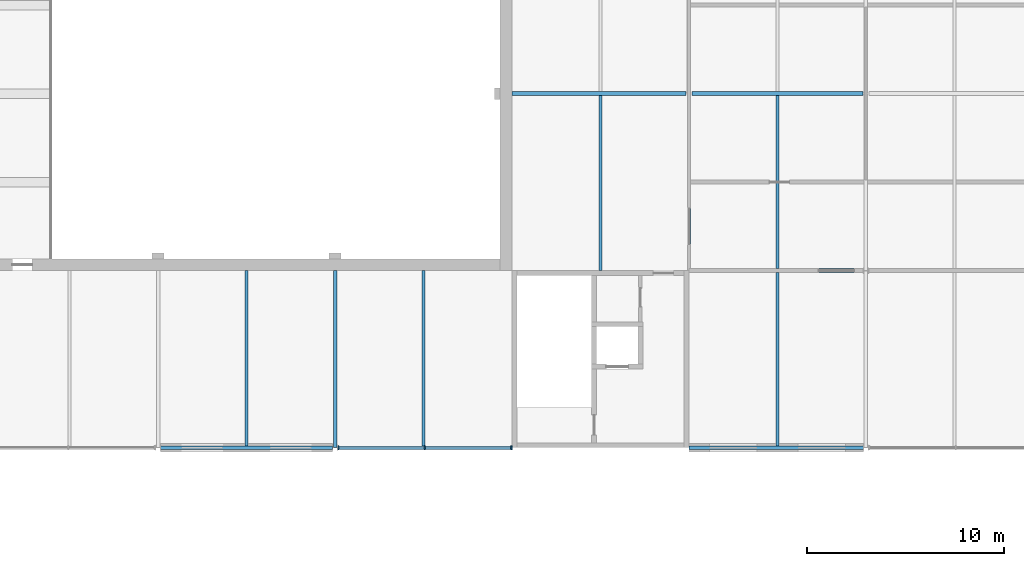
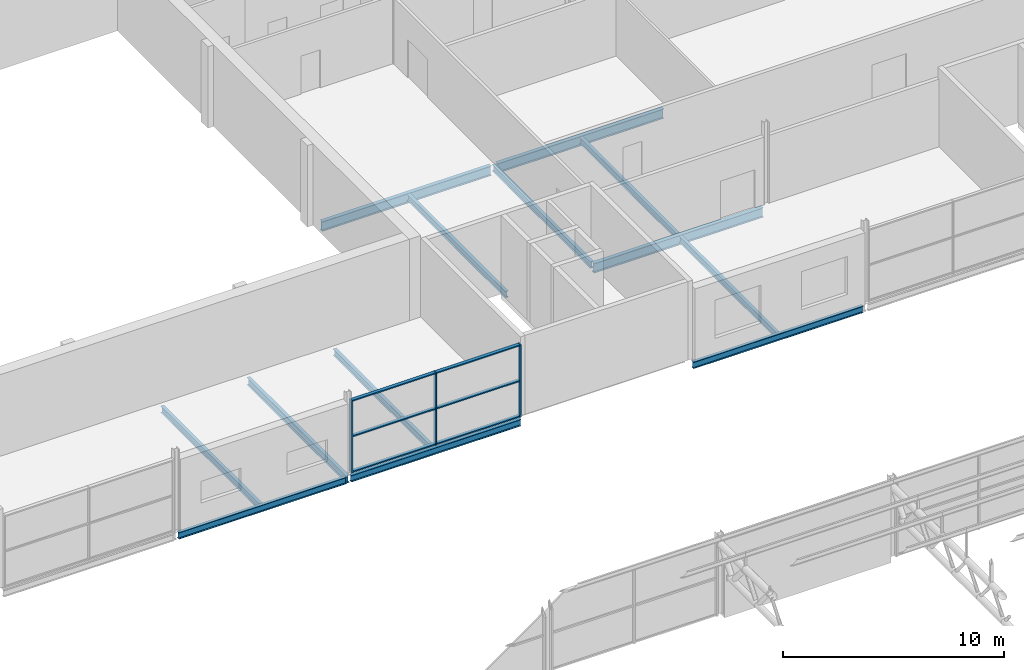
# One storey, part 82 of 138: 13 beams, 9 members, 1 element without a shape of its own.
"""IFC4 building model written with IfcOpenShell, lengths in metres."""

from ifc_helpers import new_model, si_unit, direction, frame, origin, origin_2d, place, context, subcontext, project, spatial, rectangle, i_section, extrude, material, layer, layer_set, material_profile, profile_set, type_object, element, aggregate, save


model = new_model("IFC4")

# Units and contexts
model_context = context("Model", 3, precision=1e-05, world=origin(), true_north=direction((0.0, 1.0)))
body_context = subcontext(model_context, "Body", "Model", "MODEL_VIEW")
ifc_project = project(units=[si_unit("LENGTHUNIT", "METRE"), si_unit("AREAUNIT", "SQUARE_METRE"), si_unit("VOLUMEUNIT", "CUBIC_METRE"), si_unit("PLANEANGLEUNIT", "RADIAN"), si_unit("MASSUNIT", "GRAM", prefix="KILO")], contexts=[model_context])

# Site, building, storey
site_placement = place(None, origin())
site = spatial("IfcSite", under=ifc_project, at=site_placement, CompositionType="ELEMENT")
building_placement = place(site_placement, origin())
building = spatial("IfcBuilding", under=site, at=building_placement, Name="Corbel Yard City Hall", CompositionType="ELEMENT")
storey_placement = place(building_placement, frame((0.0, 0.0, 10.5)))
storey = spatial("IfcBuildingStorey", under=building, at=storey_placement, Name="L02", CompositionType="ELEMENT", Elevation=10.5)

# Beams
ifc_material_1 = material(Name="Steel Grade 300 (300 MPa yield)", Category="steel")
ifc_material_profile_1 = material_profile(ifc_material_1, i_section(OverallWidth=0.1708984375, OverallDepth=0.35595703125, WebThickness=0.00732421875, FlangeThickness=0.011474609375, at=origin_2d()), Name="360UB50.7")
ifc_profile_set_1 = profile_set([ifc_material_profile_1], Name="Steel Grade 300 (300 MPa yield)")
beam_type_1 = type_object("IfcBeamType", Name="Beam 360UB50.7", PredefinedType="BEAM", material=ifc_profile_set_1)
beam_1_placement = place(storey_placement, frame((153.0, 54.1044921875, -0.327880859375), z_axis=(0.0, 1.0, 0.0), x_axis=(-1.0, 0.0, 0.0)))
element("IfcBeam", 1, at=beam_1_placement, inside=storey, type_object=beam_type_1, Name="Beam 360UB50.7 SB14 L02floor", PredefinedType="BEAM", context=body_context, shape_type="SweptSolid", body=[
    extrude(i_section(OverallWidth=0.1708984375, OverallDepth=0.35595703125, WebThickness=0.00732421875, FlangeThickness=0.011474609375, at=origin_2d()), origin(), (0.0, 0.0, 1.0), 8.8896484375),
])
ifc_material_profile_2 = material_profile(ifc_material_1, i_section(OverallWidth=0.177978515625, OverallDepth=0.403076171875, WebThickness=0.007568359375, FlangeThickness=0.010986328125, at=origin_2d()), Name="410UB53.7")
ifc_profile_set_2 = profile_set([ifc_material_profile_2], Name="Steel Grade 300 (300 MPa yield)")
beam_type_2 = type_object("IfcBeamType", Name="Beam 410UB53.7", PredefinedType="BEAM", material=ifc_profile_set_2)
beam_2_placement = place(storey_placement, frame((135.0, 45.00537109375, -0.3515625), z_axis=(0.0, 1.0, 0.0), x_axis=(-1.0, 0.0, 0.0)))
element("IfcBeam", 2, at=beam_2_placement, inside=storey, type_object=beam_type_2, Name="Beam 410UB53.7 SB6 L02floor", PredefinedType="BEAM", context=body_context, shape_type="SweptSolid", body=[
    extrude(i_section(OverallWidth=0.177978515625, OverallDepth=0.403076171875, WebThickness=0.007568359375, FlangeThickness=0.010986328125, at=origin_2d()), origin(), (0.0, 0.0, 1.0), 8.99462890625),
])
ifc_material_profile_3 = material_profile(ifc_material_1, i_section(OverallWidth=0.172119140625, OverallDepth=0.35888671875, WebThickness=0.008056640625, FlangeThickness=0.012939453125, at=origin_2d()), Name="360UB56.7")
ifc_profile_set_3 = profile_set([ifc_material_profile_3], Name="Steel Grade 300 (300 MPa yield)")
beam_type_3 = type_object("IfcBeamType", Name="Edge beam 360UB56.7", PredefinedType="BEAM", material=ifc_profile_set_3)
beam_3_placement = place(storey_placement, frame((126.1298828125, 45.0, -0.32958984375), z_axis=(1.0, 0.0, 0.0), x_axis=(0.0, 1.0, 0.0)))
element("IfcBeam", 3, at=beam_3_placement, inside=storey, type_object=beam_type_3, Name="Edge beam 360UB56.7 EB4 L02floor", PredefinedType="BEAM", context=body_context, shape_type="SweptSolid", body=[
    extrude(i_section(OverallWidth=0.172119140625, OverallDepth=0.35888671875, WebThickness=0.008056640625, FlangeThickness=0.012939453125, at=origin_2d()), origin(), (0.0, 0.0, 1.0), 8.740234375),
])
for number, where, z_axis, x_axis, name in (
    (4, (135.1298828125, 45.0, -0.32958984375), (1.0, 0.0, 0.0), (0.0, 1.0, 0.0), "Edge beam 360UB56.7 EB4 L02floor"),
    (5, (153.0, 45.0, -0.32958984375), (1.0, 0.0, 0.0), (0.0, 1.0, 0.0), "Edge beam 360UB56.7 EB4 L02floor"),
):
    element("IfcBeam", number, at=place(storey_placement, frame(where, z_axis=z_axis, x_axis=x_axis)), inside=storey, type_object=beam_type_3, Name=name, PredefinedType="BEAM", context=body_context, shape_type="SweptSolid", body=[
        extrude(i_section(OverallWidth=0.172119140625, OverallDepth=0.35888671875, WebThickness=0.008056640625, FlangeThickness=0.012939453125, at=origin_2d()), origin(), (0.0, 0.0, 1.0), 8.8701171875),
    ])
ifc_material_profile_4 = material_profile(ifc_material_1, i_section(OverallWidth=0.208984375, OverallDepth=0.528076171875, WebThickness=0.009521484375, FlangeThickness=0.01318359375, at=origin_2d()), Name="530UB82.0")
ifc_profile_set_4 = profile_set([ifc_material_profile_4], Name="Steel Grade 300 (300 MPa yield)")
beam_type_4 = type_object("IfcBeamType", Name="Girder 530UB82.0", PredefinedType="BEAM", material=ifc_profile_set_4)
for number, where, z_axis, x_axis, name in (
    (6, (153.0, 54.0, -0.4140625), (1.0, 0.0, 0.0), (0.0, 1.0, 0.0), "Girder 530UB82.0 GB3 L02floor"),
    (7, (144.0, 63.0, -0.4140625), (1.0, 0.0, 0.0), (0.0, 1.0, 0.0), "Girder 530UB82.0 GB3 L02floor"),
):
    element("IfcBeam", number, at=place(storey_placement, frame(where, z_axis=z_axis, x_axis=x_axis)), inside=storey, type_object=beam_type_4, Name=name, PredefinedType="BEAM", context=body_context, shape_type="SweptSolid", body=[
        extrude(i_section(OverallWidth=0.208984375, OverallDepth=0.528076171875, WebThickness=0.009521484375, FlangeThickness=0.01318359375, at=origin_2d()), origin(), (0.0, 0.0, 1.0), 8.842529296875),
    ])
beam_4_placement = place(storey_placement, frame((153.157470703125, 63.0, -0.4140625), z_axis=(1.0, 0.0, 0.0), x_axis=(0.0, 1.0, 0.0)))
element("IfcBeam", 8, at=beam_4_placement, inside=storey, type_object=beam_type_4, Name="Girder 530UB82.0 GB3 L02floor", PredefinedType="BEAM", context=body_context, shape_type="SweptSolid", body=[
    extrude(i_section(OverallWidth=0.208984375, OverallDepth=0.528076171875, WebThickness=0.009521484375, FlangeThickness=0.01318359375, at=origin_2d()), origin(), (0.0, 0.0, 1.0), 8.68505859375),
])

# Curtain wall, members
ifc_material_2 = material(Name="Aluminium extrusion", Category="aluminium")
ifc_layer = layer(ifc_material_2, 0.219970703125)
ifc_layer_set = layer_set([ifc_layer], Name="Aluminium extrusion")
curtain_wall_type = type_object("IfcCurtainWallType", Name="CW5", PredefinedType="USERDEFINED", material=ifc_layer_set)
curtain_wall_placement = place(storey_placement, origin())
curtain_wall = element("IfcCurtainWall", 9, at=curtain_wall_placement, inside=storey, type_object=curtain_wall_type, Name="Curtain wall CW5 L02", ObjectType="CURTAIN WALL", PredefinedType="USERDEFINED")
ifc_material_profile_5 = material_profile(ifc_material_2, rectangle(XDim=0.219970703125, YDim=0.06494140625, at=origin_2d()), Name="220x65")
ifc_profile_set_5 = profile_set([ifc_material_profile_5], Name="Aluminium extrusion")
member_type_1 = type_object("IfcMemberType", Name="ML5", PredefinedType="MULLION", material=ifc_profile_set_5)
member_1_placement = place(storey_placement, frame((135.159423828125, 45.0, 0.0), z_axis=(0.0, 0.0, 1.0), x_axis=(0.0, 1.0, 0.0)))
member_1 = element("IfcMember", 10, at=member_1_placement, type_object=member_type_1, Name="CW5 mullion 1", PredefinedType="MULLION", context=body_context, shape_type="SweptSolid", body=[
    extrude(rectangle(XDim=0.219970703125, YDim=0.06494140625, at=origin_2d()), origin(), (0.0, 0.0, 1.0), 3.990966796875),
])
member_2_placement = place(storey_placement, frame((139.5634765625, 45.0, 0.0), z_axis=(0.0, 0.0, 1.0), x_axis=(0.0, 1.0, 0.0)))
member_2 = element("IfcMember", 11, at=member_2_placement, type_object=member_type_1, Name="CW5 mullion 2", PredefinedType="MULLION", context=body_context, shape_type="SweptSolid", body=[
    extrude(rectangle(XDim=0.219970703125, YDim=0.06494140625, at=origin_2d()), origin(), (0.0, 0.0, 1.0), 3.990966796875),
])
member_3_placement = place(storey_placement, frame((143.967529296875, 45.0, 0.0), z_axis=(0.0, 0.0, 1.0), x_axis=(0.0, 1.0, 0.0)))
member_3 = element("IfcMember", 12, at=member_3_placement, type_object=member_type_1, Name="CW5 mullion 3", PredefinedType="MULLION", context=body_context, shape_type="SweptSolid", body=[
    extrude(rectangle(XDim=0.219970703125, YDim=0.06494140625, at=origin_2d()), origin(), (0.0, 0.0, 1.0), 3.990966796875),
])

# Beams
ifc_material_profile_6 = material_profile(ifc_material_1, i_section(OverallWidth=0.1708984375, OverallDepth=0.35205078125, WebThickness=0.0068359375, FlangeThickness=0.009765625, at=origin_2d()), Name="360UB44.7")
ifc_profile_set_6 = profile_set([ifc_material_profile_6], Name="Steel Grade 300 (300 MPa yield)")
beam_type_5 = type_object("IfcBeamType", Name="Secondary beam 360UB44.7", PredefinedType="JOIST", material=ifc_profile_set_6)
beam_5_placement = place(storey_placement, frame((157.5, 54.1044921875, -0.325927734375), z_axis=(0.0, 1.0, 0.0), x_axis=(-1.0, 0.0, 0.0)))
element("IfcBeam", 13, at=beam_5_placement, inside=storey, type_object=beam_type_5, Name="Secondary beam 360UB44.7 SB11 L02floor", PredefinedType="JOIST", context=body_context, shape_type="SweptSolid", body=[
    extrude(i_section(OverallWidth=0.1708984375, OverallDepth=0.35205078125, WebThickness=0.0068359375, FlangeThickness=0.009765625, at=origin_2d()), origin(), (0.0, 0.0, 1.0), 8.791015625),
])
ifc_material_profile_7 = material_profile(ifc_material_1, i_section(OverallWidth=0.1708984375, OverallDepth=0.35595703125, WebThickness=0.00732421875, FlangeThickness=0.011474609375, at=origin_2d()), Name="360UB50.7")
ifc_profile_set_7 = profile_set([ifc_material_profile_7], Name="Steel Grade 300 (300 MPa yield)")
beam_type_6 = type_object("IfcBeamType", Name="Secondary beam 360UB50.7", PredefinedType="JOIST", material=ifc_profile_set_7)
beam_6_placement = place(storey_placement, frame((148.5, 54.0, -0.327880859375), z_axis=(0.0, 1.0, 0.0), x_axis=(-1.0, 0.0, 0.0)))
element("IfcBeam", 14, at=beam_6_placement, inside=storey, type_object=beam_type_6, Name="Secondary beam 360UB50.7 SB10 L02floor", PredefinedType="JOIST", context=body_context, shape_type="SweptSolid", body=[
    extrude(i_section(OverallWidth=0.1708984375, OverallDepth=0.35595703125, WebThickness=0.00732421875, FlangeThickness=0.011474609375, at=origin_2d()), origin(), (0.0, 0.0, 1.0), 8.8955078125),
])
beam_7_placement = place(storey_placement, frame((157.5, 45.0859375, -0.327880859375), z_axis=(0.0, 1.0, 0.0), x_axis=(-1.0, 0.0, 0.0)))
element("IfcBeam", 15, at=beam_7_placement, inside=storey, type_object=beam_type_6, Name="Secondary beam 360UB50.7 SB10 L02floor", PredefinedType="JOIST", context=body_context, shape_type="SweptSolid", body=[
    extrude(i_section(OverallWidth=0.1708984375, OverallDepth=0.35595703125, WebThickness=0.00732421875, FlangeThickness=0.011474609375, at=origin_2d()), origin(), (0.0, 0.0, 1.0), 8.8095703125),
])
ifc_material_profile_8 = material_profile(ifc_material_1, i_section(OverallWidth=0.172119140625, OverallDepth=0.35888671875, WebThickness=0.008056640625, FlangeThickness=0.012939453125, at=origin_2d()), Name="360UB56.7")
ifc_profile_set_8 = profile_set([ifc_material_profile_8], Name="Steel Grade 300 (300 MPa yield)")
beam_type_7 = type_object("IfcBeamType", Name="Secondary beam 360UB56.7", PredefinedType="JOIST", material=ifc_profile_set_8)
for number, where, z_axis, x_axis, name in (
    (16, (130.5, 45.0859375, -0.32958984375), (0.0, 1.0, 0.0), (-1.0, 0.0, 0.0), "Secondary beam 360UB56.7 SB12 L02floor"),
    (17, (139.5, 45.0859375, -0.32958984375), (0.0, 1.0, 0.0), (-1.0, 0.0, 0.0), "Secondary beam 360UB56.7 SB12 L02floor"),
):
    element("IfcBeam", number, at=place(storey_placement, frame(where, z_axis=z_axis, x_axis=x_axis)), inside=storey, type_object=beam_type_7, Name=name, PredefinedType="JOIST", context=body_context, shape_type="SweptSolid", body=[
        extrude(i_section(OverallWidth=0.172119140625, OverallDepth=0.35888671875, WebThickness=0.008056640625, FlangeThickness=0.012939453125, at=origin_2d()), origin(), (0.0, 0.0, 1.0), 8.9140625),
    ])

# Member
ifc_material_profile_9 = material_profile(ifc_material_2, rectangle(XDim=0.179931640625, YDim=0.06494140625, at=origin_2d()), Name="180x65")
ifc_profile_set_9 = profile_set([ifc_material_profile_9], Name="Aluminium extrusion")
member_type_2 = type_object("IfcMemberType", Name="TR5", PredefinedType="USERDEFINED", material=ifc_profile_set_9)
member_4_placement = place(storey_placement, frame((135.19189453125, 45.0, 0.032470703125), z_axis=(1.0, 0.0, 0.0), x_axis=(0.0, 1.0, 0.0)))
member_4 = element("IfcMember", 18, at=member_4_placement, type_object=member_type_2, Name="CW5 transom 1.1", ObjectType="TRANSOM", PredefinedType="USERDEFINED", context=body_context, shape_type="SweptSolid", body=[
    extrude(rectangle(XDim=0.179931640625, YDim=0.06494140625, at=origin_2d()), origin(), (0.0, 0.0, 1.0), 4.339111328125),
])

member_5_placement = place(storey_placement, frame((135.19189453125, 45.0, 1.99560546875), z_axis=(1.0, 0.0, 0.0), x_axis=(0.0, 1.0, 0.0)))
member_5 = element("IfcMember", 19, at=member_5_placement, type_object=member_type_2, Name="CW5 transom 1.2", ObjectType="TRANSOM", PredefinedType="USERDEFINED", context=body_context, shape_type="SweptSolid", body=[
    extrude(rectangle(XDim=0.179931640625, YDim=0.06494140625, at=origin_2d()), origin(), (0.0, 0.0, 1.0), 4.339111328125),
])

member_6_placement = place(storey_placement, frame((135.19189453125, 45.0, 3.95849609375), z_axis=(1.0, 0.0, 0.0), x_axis=(0.0, 1.0, 0.0)))
member_6 = element("IfcMember", 20, at=member_6_placement, type_object=member_type_2, Name="CW5 transom 1.3", ObjectType="TRANSOM", PredefinedType="USERDEFINED", context=body_context, shape_type="SweptSolid", body=[
    extrude(rectangle(XDim=0.179931640625, YDim=0.06494140625, at=origin_2d()), origin(), (0.0, 0.0, 1.0), 4.339111328125),
])

member_7_placement = place(storey_placement, frame((139.595947265625, 45.0, 0.032470703125), z_axis=(1.0, 0.0, 0.0), x_axis=(0.0, 1.0, 0.0)))
member_7 = element("IfcMember", 21, at=member_7_placement, type_object=member_type_2, Name="CW5 transom 2.1", ObjectType="TRANSOM", PredefinedType="USERDEFINED", context=body_context, shape_type="SweptSolid", body=[
    extrude(rectangle(XDim=0.179931640625, YDim=0.06494140625, at=origin_2d()), origin(), (0.0, 0.0, 1.0), 4.339111328125),
])

member_8_placement = place(storey_placement, frame((139.595947265625, 45.0, 1.99560546875), z_axis=(1.0, 0.0, 0.0), x_axis=(0.0, 1.0, 0.0)))
member_8 = element("IfcMember", 22, at=member_8_placement, type_object=member_type_2, Name="CW5 transom 2.2", ObjectType="TRANSOM", PredefinedType="USERDEFINED", context=body_context, shape_type="SweptSolid", body=[
    extrude(rectangle(XDim=0.179931640625, YDim=0.06494140625, at=origin_2d()), origin(), (0.0, 0.0, 1.0), 4.339111328125),
])

member_9_placement = place(storey_placement, frame((139.595947265625, 45.0, 3.95849609375), z_axis=(1.0, 0.0, 0.0), x_axis=(0.0, 1.0, 0.0)))
member_9 = element("IfcMember", 23, at=member_9_placement, type_object=member_type_2, Name="CW5 transom 2.3", ObjectType="TRANSOM", PredefinedType="USERDEFINED", context=body_context, shape_type="SweptSolid", body=[
    extrude(rectangle(XDim=0.179931640625, YDim=0.06494140625, at=origin_2d()), origin(), (0.0, 0.0, 1.0), 4.339111328125),
])

aggregate(curtain_wall, [member_1, member_2, member_3, member_4, member_5, member_6, member_7, member_8, member_9])

save(model, "model.ifc")
